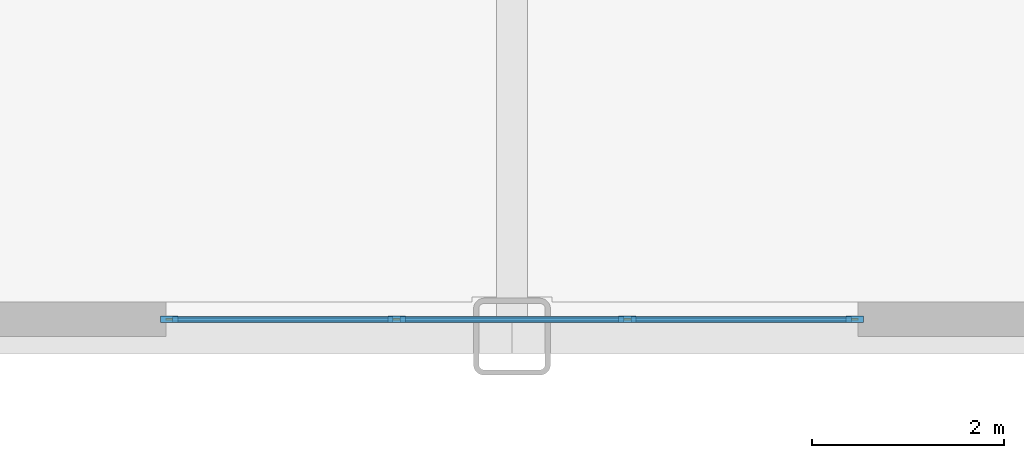
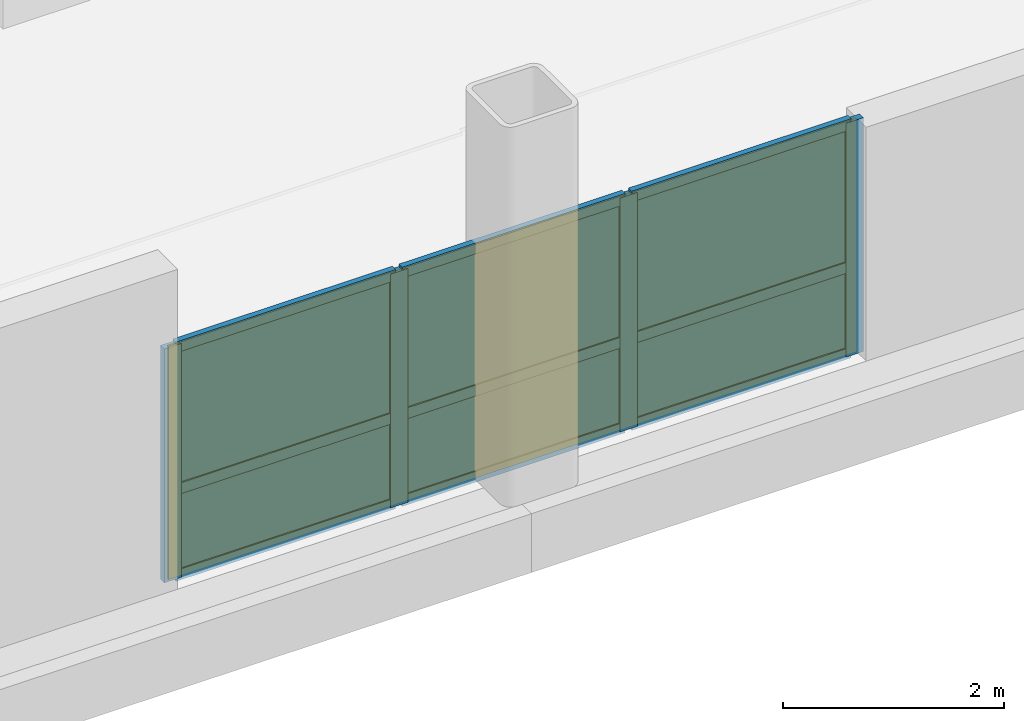
# One storey, part 7 of 14: 13 members, 6 plates, 1 curtain wall.
"""IFC4 building model written with IfcOpenShell, lengths in metres."""

from ifc_helpers import new_model, si_unit, direction, frame, frame_2d, origin, origin_2d, place, context, subcontext, project, spatial, rectangle, extrude, source, transform, mapped, material, layer, layer_set, material_profile, profile_set, type_object, type_shapes, element, aggregate, save


model = new_model("IFC4")

# Units and contexts
model_context = context("Model", 3, precision=1e-05, world=origin(), true_north=direction((0.0, 1.0)))
body_context = subcontext(model_context, "Body", "Model", "MODEL_VIEW")
ifc_project = project(units=[si_unit("LENGTHUNIT", "METRE"), si_unit("AREAUNIT", "SQUARE_METRE"), si_unit("VOLUMEUNIT", "CUBIC_METRE"), si_unit("PLANEANGLEUNIT", "RADIAN"), si_unit("MASSUNIT", "GRAM", prefix="KILO")], contexts=[model_context])

# Member
ifc_material_1 = material(Name="Anodised aluminium 6063-T6", Category="aluminium")
ifc_material_profile_1 = material_profile(ifc_material_1, rectangle(XDim=0.070068359375, YDim=0.179931640625, at=origin_2d()), Name="ALU-MULL-70x180")
ifc_profile_set_1 = profile_set([ifc_material_profile_1], Name="Anodised aluminium 6063-T6")
member_type_1 = type_object("IfcMemberType", Name="CWM-1", PredefinedType="MULLION", material=ifc_profile_set_1)
site_placement = place(None, origin())
building_placement = place(site_placement, origin())
storey_placement = place(building_placement, frame((0.0, 0.0, 13.800048828125)))
member_1_placement = place(storey_placement, frame((-22.56494140625, -25.820068359375, 0.0), z_axis=(0.0, 0.0, 1.0), x_axis=(0.0, 1.0, 0.0)))
member_1 = element("IfcMember", 1, at=member_1_placement, type_object=member_type_1, Name="CWS-1 mullion 1", PredefinedType="MULLION", context=body_context, shape_type="SweptSolid", body=[
    extrude(rectangle(XDim=0.070068359375, YDim=0.179931640625, at=origin_2d()), origin(), (0.0, 0.0, 1.0), 2.5849609375),
])

member_2_placement = place(storey_placement, frame((-20.199951171875, -25.820068359375, 0.0), z_axis=(0.0, 0.0, 1.0), x_axis=(0.0, 1.0, 0.0)))
member_2 = element("IfcMember", 2, at=member_2_placement, type_object=member_type_1, Name="CWS-1 mullion 2", PredefinedType="MULLION", context=body_context, shape_type="SweptSolid", body=[
    extrude(rectangle(XDim=0.070068359375, YDim=0.179931640625, at=origin_2d()), origin(), (0.0, 0.0, 1.0), 2.5849609375),
])

member_3_placement = place(storey_placement, frame((-17.800048828125, -25.820068359375, 0.0), z_axis=(0.0, 0.0, 1.0), x_axis=(0.0, 1.0, 0.0)))
member_3 = element("IfcMember", 3, at=member_3_placement, type_object=member_type_1, Name="CWS-1 mullion 3", PredefinedType="MULLION", context=body_context, shape_type="SweptSolid", body=[
    extrude(rectangle(XDim=0.070068359375, YDim=0.179931640625, at=origin_2d()), origin(), (0.0, 0.0, 1.0), 2.5849609375),
])

member_4_placement = place(storey_placement, frame((-15.43505859375, -25.820068359375, 0.0), z_axis=(0.0, 0.0, 1.0), x_axis=(0.0, 1.0, 0.0)))
member_4 = element("IfcMember", 4, at=member_4_placement, type_object=member_type_1, Name="CWS-1 mullion 4", PredefinedType="MULLION", context=body_context, shape_type="SweptSolid", body=[
    extrude(rectangle(XDim=0.070068359375, YDim=0.179931640625, at=origin_2d()), origin(), (0.0, 0.0, 1.0), 2.5849609375),
])

ifc_material_profile_2 = material_profile(ifc_material_1, rectangle(XDim=0.06005859375, YDim=0.1201171875, at=origin_2d()), Name="ALU-TRAN-60x120")
ifc_profile_set_2 = profile_set([ifc_material_profile_2], Name="Anodised aluminium 6063-T6")
member_type_2 = type_object("IfcMemberType", Name="CWT-1", PredefinedType="USERDEFINED", material=ifc_profile_set_2)
member_5_placement = place(storey_placement, frame((-22.530029296875, -25.820068359375, 0.030029296875), z_axis=(1.0, 0.0, 0.0), x_axis=(0.0, 1.0, 0.0)))
member_5 = element("IfcMember", 5, at=member_5_placement, type_object=member_type_2, Name="CWS-1 transom 1.1", ObjectType="TRANSOM", PredefinedType="USERDEFINED", context=body_context, shape_type="SweptSolid", body=[
    extrude(rectangle(XDim=0.06005859375, YDim=0.1201171875, at=origin_2d()), origin(), (0.0, 0.0, 1.0), 2.294921875),
])

member_6_placement = place(storey_placement, frame((-22.530029296875, -25.820068359375, 0.982177734375), z_axis=(1.0, 0.0, 0.0), x_axis=(0.0, 1.0, 0.0)))
member_6 = element("IfcMember", 6, at=member_6_placement, type_object=member_type_2, Name="CWS-1 transom 1.2", ObjectType="TRANSOM", PredefinedType="USERDEFINED", context=body_context, shape_type="SweptSolid", body=[
    extrude(rectangle(XDim=0.06005859375, YDim=0.1201171875, at=origin_2d()), origin(), (0.0, 0.0, 1.0), 2.294921875),
])

member_7_placement = place(storey_placement, frame((-22.530029296875, -25.820068359375, 2.554931640625), z_axis=(1.0, 0.0, 0.0), x_axis=(0.0, 1.0, 0.0)))
member_7 = element("IfcMember", 7, at=member_7_placement, type_object=member_type_2, Name="CWS-1 transom 1.3", ObjectType="TRANSOM", PredefinedType="USERDEFINED", context=body_context, shape_type="SweptSolid", body=[
    extrude(rectangle(XDim=0.06005859375, YDim=0.1201171875, at=origin_2d()), origin(), (0.0, 0.0, 1.0), 2.294921875),
])

member_8_placement = place(storey_placement, frame((-20.1650390625, -25.820068359375, 0.030029296875), z_axis=(1.0, 0.0, 0.0), x_axis=(0.0, 1.0, 0.0)))
member_8 = element("IfcMember", 8, at=member_8_placement, type_object=member_type_2, Name="CWS-1 transom 2.1", ObjectType="TRANSOM", PredefinedType="USERDEFINED", context=body_context, shape_type="SweptSolid", body=[
    extrude(rectangle(XDim=0.06005859375, YDim=0.1201171875, at=origin_2d()), origin(), (0.0, 0.0, 1.0), 2.330078125),
])

member_9_placement = place(storey_placement, frame((-20.1650390625, -25.820068359375, 0.982177734375), z_axis=(1.0, 0.0, 0.0), x_axis=(0.0, 1.0, 0.0)))
member_9 = element("IfcMember", 9, at=member_9_placement, type_object=member_type_2, Name="CWS-1 transom 2.2", ObjectType="TRANSOM", PredefinedType="USERDEFINED", context=body_context, shape_type="SweptSolid", body=[
    extrude(rectangle(XDim=0.06005859375, YDim=0.1201171875, at=origin_2d()), origin(), (0.0, 0.0, 1.0), 2.330078125),
])

member_10_placement = place(storey_placement, frame((-20.1650390625, -25.820068359375, 2.554931640625), z_axis=(1.0, 0.0, 0.0), x_axis=(0.0, 1.0, 0.0)))
member_10 = element("IfcMember", 10, at=member_10_placement, type_object=member_type_2, Name="CWS-1 transom 2.3", ObjectType="TRANSOM", PredefinedType="USERDEFINED", context=body_context, shape_type="SweptSolid", body=[
    extrude(rectangle(XDim=0.06005859375, YDim=0.1201171875, at=origin_2d()), origin(), (0.0, 0.0, 1.0), 2.330078125),
])

member_11_placement = place(storey_placement, frame((-17.764892578125, -25.820068359375, 0.030029296875), z_axis=(1.0, 0.0, 0.0), x_axis=(0.0, 1.0, 0.0)))
member_11 = element("IfcMember", 11, at=member_11_placement, type_object=member_type_2, Name="CWS-1 transom 3.1", ObjectType="TRANSOM", PredefinedType="USERDEFINED", context=body_context, shape_type="SweptSolid", body=[
    extrude(rectangle(XDim=0.06005859375, YDim=0.1201171875, at=origin_2d()), origin(), (0.0, 0.0, 1.0), 2.294921875),
])

member_12_placement = place(storey_placement, frame((-17.764892578125, -25.820068359375, 0.982177734375), z_axis=(1.0, 0.0, 0.0), x_axis=(0.0, 1.0, 0.0)))
member_12 = element("IfcMember", 12, at=member_12_placement, type_object=member_type_2, Name="CWS-1 transom 3.2", ObjectType="TRANSOM", PredefinedType="USERDEFINED", context=body_context, shape_type="SweptSolid", body=[
    extrude(rectangle(XDim=0.06005859375, YDim=0.1201171875, at=origin_2d()), origin(), (0.0, 0.0, 1.0), 2.294921875),
])

member_13_placement = place(storey_placement, frame((-17.764892578125, -25.820068359375, 2.554931640625), z_axis=(1.0, 0.0, 0.0), x_axis=(0.0, 1.0, 0.0)))
member_13 = element("IfcMember", 13, at=member_13_placement, type_object=member_type_2, Name="CWS-1 transom 3.3", ObjectType="TRANSOM", PredefinedType="USERDEFINED", context=body_context, shape_type="SweptSolid", body=[
    extrude(rectangle(XDim=0.06005859375, YDim=0.1201171875, at=origin_2d()), origin(), (0.0, 0.0, 1.0), 2.294921875),
])

# Plate
ifc_material_2 = material(Name="Insulated solar-control glass", Category="glass")
ifc_layer_1 = layer(ifc_material_2, 0.031982421875, Name="CWP-1")
ifc_layer_set_1 = layer_set([ifc_layer_1], Name="Insulated solar-control glass")
plate_type = type_object("IfcPlateType", Name="CWP-1", PredefinedType="CURTAIN_PANEL", material=ifc_layer_set_1)
shared_shape_1 = source(origin(), body_context, "Body", "SweptSolid", [
    extrude(rectangle(XDim=2.294921875, YDim=0.031982421875, at=origin_2d()), origin(), (0.0, 0.0, 1.0), 0.892333984375),
])
plate_1_placement = place(storey_placement, frame((-21.382568359375, -25.820068359375, 0.06005859375), z_axis=(0.0, 0.0, 1.0), x_axis=(1.0, 0.0, 0.0)))
plate_1 = element("IfcPlate", 14, at=plate_1_placement, type_object=plate_type, Name="CWS-1 panel 1.1", PredefinedType="CURTAIN_PANEL", context=body_context, shape_type="MappedRepresentation", body=[
    mapped(shared_shape_1, transform((0.0, 0.0, 0.0), scale=1.0)),
])

plate_2_placement = place(storey_placement, frame((-16.617431640625, -25.820068359375, 0.06005859375), z_axis=(0.0, 0.0, 1.0), x_axis=(1.0, 0.0, 0.0)))
plate_2 = element("IfcPlate", 15, at=plate_2_placement, type_object=plate_type, Name="CWS-1 panel 3.1", PredefinedType="CURTAIN_PANEL", context=body_context, shape_type="MappedRepresentation", body=[
    mapped(shared_shape_1, transform((0.0, 0.0, 0.0), scale=1.0)),
])

shared_shape_2 = source(origin(), body_context, "Body", "SweptSolid", [
    extrude(rectangle(XDim=2.294921875, YDim=0.031982421875, at=origin_2d()), origin(), (0.0, 0.0, 1.0), 1.5126953125),
])
plate_3_placement = place(storey_placement, frame((-21.382568359375, -25.820068359375, 1.01220703125), z_axis=(0.0, 0.0, 1.0), x_axis=(1.0, 0.0, 0.0)))
plate_3 = element("IfcPlate", 16, at=plate_3_placement, type_object=plate_type, Name="CWS-1 panel 1.2", PredefinedType="CURTAIN_PANEL", context=body_context, shape_type="MappedRepresentation", body=[
    mapped(shared_shape_2, transform((0.0, 0.0, 0.0), scale=1.0)),
])

plate_4_placement = place(storey_placement, frame((-16.617431640625, -25.820068359375, 1.01220703125), z_axis=(0.0, 0.0, 1.0), x_axis=(1.0, 0.0, 0.0)))
plate_4 = element("IfcPlate", 17, at=plate_4_placement, type_object=plate_type, Name="CWS-1 panel 3.2", PredefinedType="CURTAIN_PANEL", context=body_context, shape_type="MappedRepresentation", body=[
    mapped(shared_shape_2, transform((0.0, 0.0, 0.0), scale=1.0)),
])

shared_shape_3 = source(origin(), body_context, "Body", "SweptSolid", [
    extrude(rectangle(XDim=2.330078125, YDim=0.031982421875, at=origin_2d()), origin(), (0.0, 0.0, 1.0), 0.892333984375),
])
plate_5_placement = place(storey_placement, frame((-19.0, -25.820068359375, 0.06005859375), z_axis=(0.0, 0.0, 1.0), x_axis=(1.0, 0.0, 0.0)))
plate_5 = element("IfcPlate", 18, at=plate_5_placement, type_object=plate_type, Name="CWS-1 panel 2.1", PredefinedType="CURTAIN_PANEL", context=body_context, shape_type="MappedRepresentation", body=[
    mapped(shared_shape_3, transform((0.0, 0.0, 0.0), scale=1.0)),
])

shared_shape_4 = source(origin(), body_context, "Body", "SweptSolid", [
    extrude(rectangle(XDim=2.330078125, YDim=0.031982421875, at=origin_2d()), origin(), (0.0, 0.0, 1.0), 1.5126953125),
])
type_shapes(plate_type, [shared_shape_1, shared_shape_2, shared_shape_3, shared_shape_4])
plate_6_placement = place(storey_placement, frame((-19.0, -25.820068359375, 1.01220703125), z_axis=(0.0, 0.0, 1.0), x_axis=(1.0, 0.0, 0.0)))
plate_6 = element("IfcPlate", 19, at=plate_6_placement, type_object=plate_type, Name="CWS-1 panel 2.2", PredefinedType="CURTAIN_PANEL", context=body_context, shape_type="MappedRepresentation", body=[
    mapped(shared_shape_4, transform((0.0, 0.0, 0.0), scale=1.0)),
])

# Site, building, storey
site = spatial("IfcSite", under=ifc_project, at=site_placement, CompositionType="ELEMENT")
building = spatial("IfcBuilding", under=site, at=building_placement, Name="Nuvemarco Arch Tower", CompositionType="ELEMENT")
storey = spatial("IfcBuildingStorey", under=building, at=storey_placement, Name="L03", CompositionType="ELEMENT", Elevation=13.800048828125)

# Curtain wall
ifc_layer_2 = layer(ifc_material_2, 0.179931640625, Name="CW-SYS-1")
ifc_layer_set_2 = layer_set([ifc_layer_2], Name="Insulated solar-control glass")
curtain_wall_type = type_object("IfcCurtainWallType", Name="CW-SYS-1", PredefinedType="NOTDEFINED", material=ifc_layer_set_2)
curtain_wall_placement = place(storey_placement, frame((-22.60009765625, -25.820068359375, 0.0), z_axis=(0.0, 0.0, 1.0), x_axis=(1.0, 0.0, 0.0)))
curtain_wall = element("IfcCurtainWall", 20, at=curtain_wall_placement, inside=storey, type_object=curtain_wall_type, Name="L03 curtain wall CWS-1", PredefinedType="NOTDEFINED", context=body_context, shape_type="SweptSolid", body=[
    extrude(rectangle(XDim=7.2001953125, YDim=0.02001953125, at=frame_2d((3.60009765625, 0.0))), origin(), (0.0, 0.0, 1.0), 2.5849609375),
])

aggregate(curtain_wall, [member_1, member_2, member_3, member_4, member_5, member_6, member_7, plate_1, plate_3, member_8, member_9, member_10, plate_5, plate_6, member_11, member_12, member_13, plate_2, plate_4])

save(model, "model.ifc")
